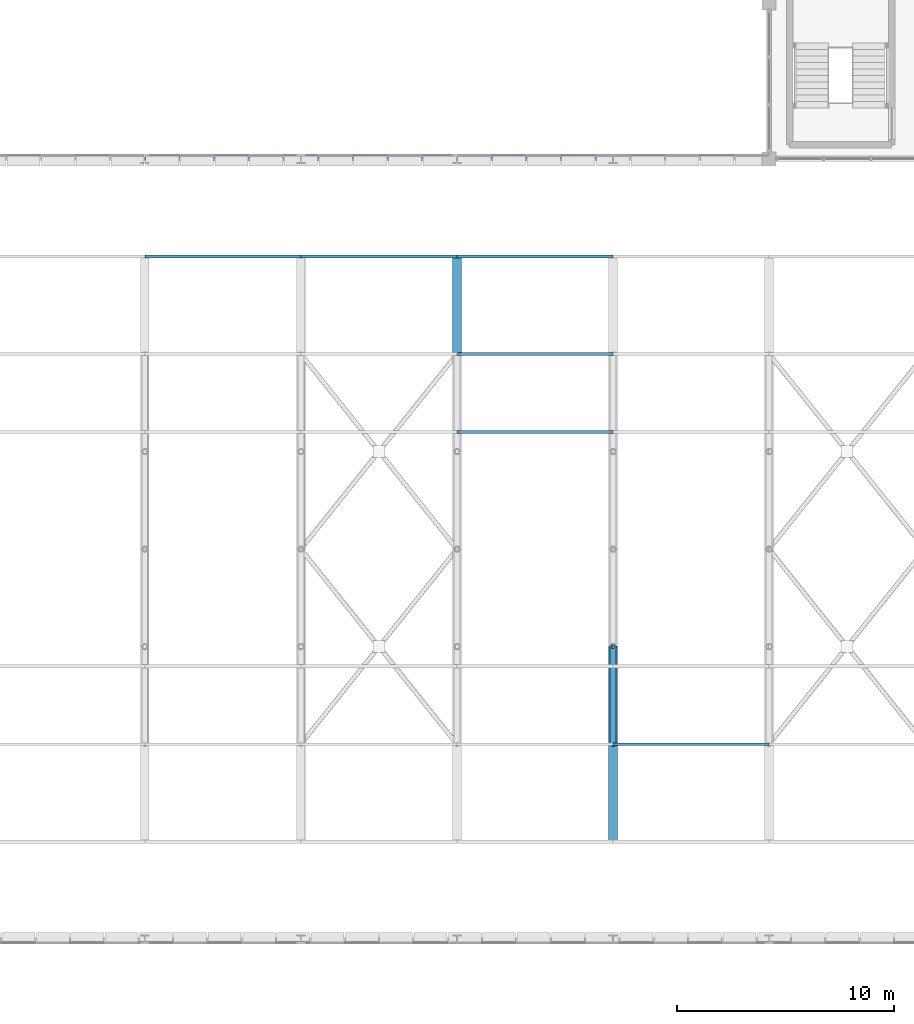
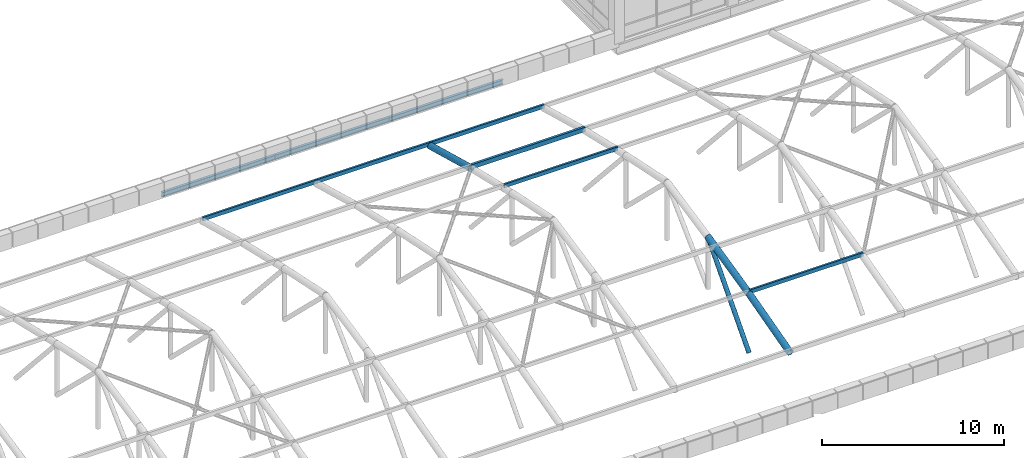
# One storey, part 30 of 96: 10 members, 3 beams.
"""IFC4 building model written with IfcOpenShell, lengths in metres."""

from ifc_helpers import new_model, si_unit, direction, frame, origin, origin_2d, place, context, subcontext, project, spatial, hollow_rectangle, hollow_circle, i_section, extrude, material, material_profile, profile_set, type_object, element, save


model = new_model("IFC4")

# Units and contexts
model_context = context("Model", 3, precision=1e-05, world=origin(), true_north=direction((0.0, 1.0)))
body_context = subcontext(model_context, "Body", "Model", "MODEL_VIEW")
ifc_project = project(units=[si_unit("LENGTHUNIT", "METRE"), si_unit("AREAUNIT", "SQUARE_METRE"), si_unit("VOLUMEUNIT", "CUBIC_METRE"), si_unit("PLANEANGLEUNIT", "RADIAN"), si_unit("MASSUNIT", "GRAM", prefix="KILO")], contexts=[model_context])

# Site, building, storey
site_placement = place(None, origin())
site = spatial("IfcSite", under=ifc_project, at=site_placement, CompositionType="ELEMENT")
building_placement = place(site_placement, origin())
building = spatial("IfcBuilding", under=site, at=building_placement, Name="Yarey Park Central Fire Station", CompositionType="ELEMENT")
storey_placement = place(building_placement, frame((0.0, 0.0, 14.39990234375)))
storey = spatial("IfcBuildingStorey", under=building, at=storey_placement, Name="L04", CompositionType="ELEMENT", Elevation=14.39990234375)

# Members
ifc_material_1 = material(Name="Steel ASTM A500 Gr. C", Category="steel")
ifc_material_profile_1 = material_profile(ifc_material_1, hollow_circle(Radius=0.203125, WallThickness=0.01611328125, at=origin_2d()), Name="CHS 406.4x16")
ifc_profile_set_1 = profile_set([ifc_material_profile_1], Name="Steel ASTM A500 Gr. C")
member_type_1 = type_object("IfcMemberType", Name="STR_CHORD_CHS406", PredefinedType="CHORD", material=ifc_profile_set_1)
for number, where, z_axis, x_axis, name in (
    (1, (100.800048828125, 84.60009765625, 1.940185546875), (0.0, 0.965014687101, -0.262195830783), (-1.0, 0.0, 0.0), "Arched Roof Truss ART_07 Top Chord 7"),
    (2, (108.0, 62.10009765625, 0.717529296875), (0.0, 0.965014687101, 0.262195830783), (-1.0, 0.0, 0.0), "Arched Roof Truss ART_08 Top Chord 2"),
):
    element("IfcMember", number, at=place(storey_placement, frame(where, z_axis=z_axis, x_axis=x_axis)), inside=storey, type_object=member_type_1, Name=name, PredefinedType="CHORD", context=body_context, shape_type="SweptSolid", body=[
        extrude(hollow_circle(Radius=0.203125, WallThickness=0.01611328125, at=origin_2d()), origin(), (0.0, 0.0, 1.0), 4.6630859375),
    ])
member_1_placement = place(storey_placement, frame((108.0, 66.60009765625, 1.940185546875), z_axis=(0.0, 0.97355760432, 0.228441657915), x_axis=(-1.0, 0.0, 0.0)))
element("IfcMember", 3, at=member_1_placement, inside=storey, type_object=member_type_1, Name="Arched Roof Truss ART_08 Top Chord 3", PredefinedType="CHORD", context=body_context, shape_type="SweptSolid", body=[
    extrude(hollow_circle(Radius=0.203125, WallThickness=0.01611328125, at=origin_2d()), origin(), (0.0, 0.0, 1.0), 4.622314453125),
])
ifc_material_profile_2 = material_profile(ifc_material_1, hollow_rectangle(XDim=0.125, YDim=0.25, WallThickness=0.008056640625, at=origin_2d()), Name="HSS 250x125x8")
ifc_profile_set_2 = profile_set([ifc_material_profile_2], Name="Steel ASTM A500 Gr. C")
member_type_2 = type_object("IfcMemberType", Name="STR_GIRT_HSS250", PredefinedType="PURLIN", material=ifc_profile_set_2)
member_2_placement = place(storey_placement, frame((86.39990234375, 89.10009765625, 0.856689453125), z_axis=(1.0, 0.0, 0.0), x_axis=(0.0, 1.0, 0.0)))
element("IfcMember", 4, at=member_2_placement, inside=storey, type_object=member_type_2, Name="PUR_ARCH_B05_8", PredefinedType="PURLIN", context=body_context, shape_type="SweptSolid", body=[
    extrude(hollow_rectangle(XDim=0.125, YDim=0.25, WallThickness=0.008056640625, at=origin_2d()), origin(), (0.0, 0.0, 1.0), 7.2001953125),
])
for number, where, z_axis, x_axis, name in (
    (5, (93.60009765625, 89.10009765625, 0.856689453125), (1.0, 0.0, 0.0), (0.0, 1.0, 0.0), "PUR_ARCH_B06_8"),
    (6, (100.800048828125, 81.0, 2.947021484375), (1.0, 0.0, 0.0), (0.0, 1.0, 0.0), "PUR_ARCH_B07_6"),
    (7, (100.800048828125, 89.10009765625, 0.856689453125), (1.0, 0.0, 0.0), (0.0, 1.0, 0.0), "PUR_ARCH_B07_8"),
    (8, (108.0, 66.60009765625, 2.0791015625), (1.0, 0.0, 0.0), (0.0, 1.0, 0.0), "PUR_ARCH_B08_2"),
):
    element("IfcMember", number, at=place(storey_placement, frame(where, z_axis=z_axis, x_axis=x_axis)), inside=storey, type_object=member_type_2, Name=name, PredefinedType="PURLIN", context=body_context, shape_type="SweptSolid", body=[
        extrude(hollow_rectangle(XDim=0.125, YDim=0.25, WallThickness=0.008056640625, at=origin_2d()), origin(), (0.0, 0.0, 1.0), 7.199951171875),
    ])
ifc_material_profile_3 = material_profile(ifc_material_1, hollow_rectangle(XDim=0.14990234375, YDim=0.300048828125, WallThickness=0.010009765625, at=origin_2d()), Name="HSS 300x150x10")
ifc_profile_set_3 = profile_set([ifc_material_profile_3], Name="Steel ASTM A500 Gr. C")
member_type_3 = type_object("IfcMemberType", Name="STR_PUR_HSS300", PredefinedType="PURLIN", material=ifc_profile_set_3)
member_3_placement = place(storey_placement, frame((100.800048828125, 84.60009765625, 2.05419921875), z_axis=(1.0, 0.0, 0.0), x_axis=(0.0, 1.0, 0.0)))
element("IfcMember", 9, at=member_3_placement, inside=storey, type_object=member_type_3, Name="PUR_ARCH_B07_7", PredefinedType="PURLIN", context=body_context, shape_type="SweptSolid", body=[
    extrude(hollow_rectangle(XDim=0.14990234375, YDim=0.300048828125, WallThickness=0.010009765625, at=origin_2d()), origin(), (0.0, 0.0, 1.0), 7.199951171875),
])

# Beams
ifc_material_2 = material(Name="Steel ASTM A992 Gr. 50", Category="steel")
ifc_material_profile_4 = material_profile(ifc_material_2, i_section(OverallWidth=0.1650390625, OverallDepth=0.31005859375, WebThickness=0.005859375, FlangeThickness=0.009765625, at=origin_2d()), Name="W310x39")
ifc_profile_set_4 = profile_set([ifc_material_profile_4], Name="Steel ASTM A992 Gr. 50")
beam_type = type_object("IfcBeamType", Name="STR_SPN_W310", PredefinedType="SPANDREL", material=ifc_profile_set_4)
beam_placement = place(storey_placement, frame((86.39990234375, 93.60009765625, -0.23486328125), z_axis=(1.0, 0.0, 0.0), x_axis=(0.0, 1.0, 0.0)))
element("IfcBeam", 10, at=beam_placement, inside=storey, type_object=beam_type, Name="V2 BOX GIRT N M2 05", PredefinedType="SPANDREL", context=body_context, shape_type="SweptSolid", body=[
    extrude(i_section(OverallWidth=0.1650390625, OverallDepth=0.31005859375, WebThickness=0.005859375, FlangeThickness=0.009765625, at=origin_2d()), origin(), (0.0, 0.0, 1.0), 7.2001953125),
])
for number, where, z_axis, x_axis, name in (
    (11, (93.60009765625, 93.60009765625, -0.23486328125), (1.0, 0.0, 0.0), (0.0, 1.0, 0.0), "V2 BOX GIRT N M2 06"),
    (12, (100.800048828125, 93.60009765625, -0.23486328125), (1.0, 0.0, 0.0), (0.0, 1.0, 0.0), "V2 BOX GIRT N M2 07"),
):
    element("IfcBeam", number, at=place(storey_placement, frame(where, z_axis=z_axis, x_axis=x_axis)), inside=storey, type_object=beam_type, Name=name, PredefinedType="SPANDREL", context=body_context, shape_type="SweptSolid", body=[
        extrude(i_section(OverallWidth=0.1650390625, OverallDepth=0.31005859375, WebThickness=0.005859375, FlangeThickness=0.009765625, at=origin_2d()), origin(), (0.0, 0.0, 1.0), 7.199951171875),
    ])

# Member
ifc_material_profile_5 = material_profile(ifc_material_1, hollow_circle(Radius=0.136474609375, WallThickness=0.012451171875, at=origin_2d()), Name="CHS 273x12.5")
ifc_profile_set_5 = profile_set([ifc_material_profile_5], Name="Steel ASTM A500 Gr. C")
member_type_4 = type_object("IfcMemberType", Name="STR_WEB_CHS273", PredefinedType="BRACE", material=ifc_profile_set_5)
member_4_placement = place(storey_placement, frame((108.0, 66.60009765625, -2.02490234375), z_axis=(0.0, 0.667414870686, 0.744686101916), x_axis=(-1.0, 0.0, 0.0)))
element("IfcMember", 13, at=member_4_placement, inside=storey, type_object=member_type_4, Name="Arched Roof Truss ART_08 Diagonal 3", PredefinedType="BRACE", context=body_context, shape_type="SweptSolid", body=[
    extrude(hollow_circle(Radius=0.136474609375, WallThickness=0.012451171875, at=origin_2d()), origin(), (0.0, 0.0, 1.0), 6.742431640625),
])

save(model, "model.ifc")
